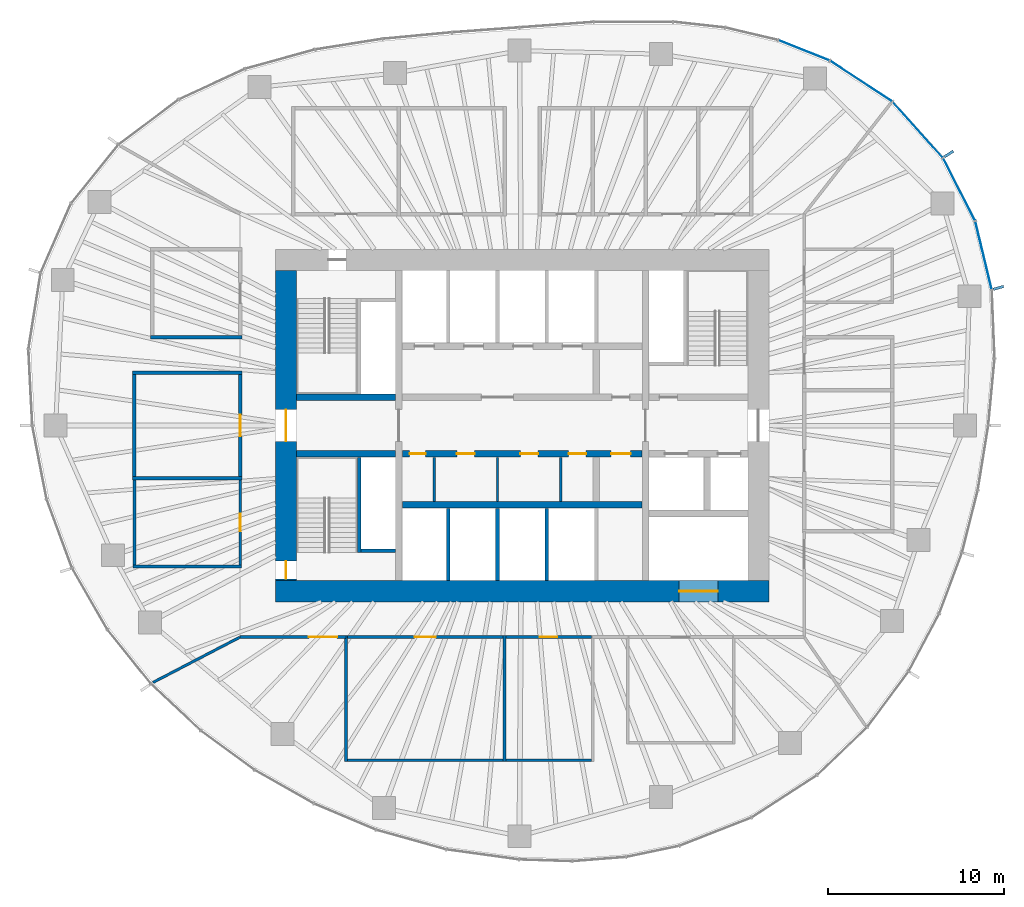
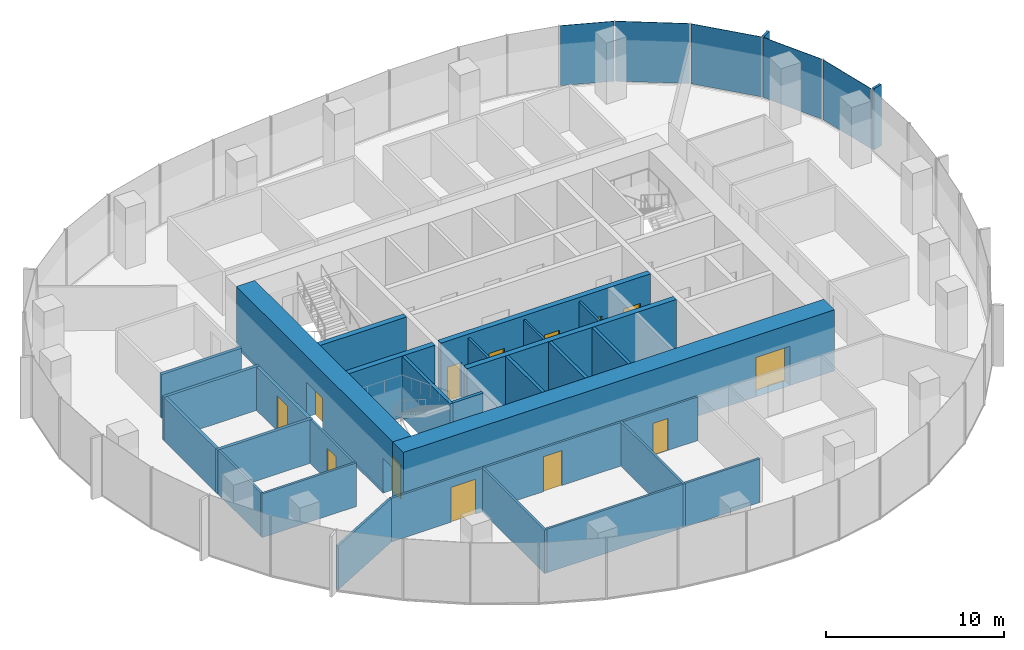
# One storey, part 8 of 11: 30 walls, 13 doors, 7 plates, 13 openings, 3 elements without a shape of their own.
"""IFC4 building model written with IfcOpenShell, lengths in metres."""

from ifc_helpers import new_model, si_unit, direction, frame, frame_2d, origin, origin_2d, place, context, subcontext, project, spatial, rectangle, extrude, material, layer, layer_set, type_object, element, fill, aggregate, save


model = new_model("IFC4")

# Units and contexts
model_context = context("Model", 3, precision=1e-05, world=origin(), true_north=direction((0.0, 1.0)))
body_context = subcontext(model_context, "Body", "Model", "MODEL_VIEW")
ifc_project = project(units=[si_unit("LENGTHUNIT", "METRE"), si_unit("AREAUNIT", "SQUARE_METRE"), si_unit("VOLUMEUNIT", "CUBIC_METRE"), si_unit("PLANEANGLEUNIT", "RADIAN"), si_unit("MASSUNIT", "GRAM", prefix="KILO")], contexts=[model_context])

# Site, building, storey
site_placement = place(None, origin())
site = spatial("IfcSite", under=ifc_project, at=site_placement, CompositionType="ELEMENT")
building_placement = place(site_placement, origin())
building = spatial("IfcBuilding", under=site, at=building_placement, Name="Ghaith Harvest Tower", CompositionType="ELEMENT")
storey_placement = place(building_placement, frame((0.0, 0.0, 215.800048828125)))
storey = spatial("IfcBuildingStorey", under=building, at=storey_placement, Name="L47", CompositionType="ELEMENT", Elevation=215.800048828125)

# Curtain wall, plates
ifc_material_1 = material(Name="Black anodised aluminium and fritted glass", Category="aluminium")
curtain_wall_type = type_object("IfcCurtainWallType", Name="CW-H CURTAIN WALL", PredefinedType="NOTDEFINED", material=ifc_material_1)
curtain_wall_1_placement = place(storey_placement, origin())
curtain_wall_1 = element("IfcCurtainWall", 1, at=curtain_wall_1_placement, inside=storey, type_object=curtain_wall_type, Name="Curtain wall CW-H bay 02 L47", PredefinedType="NOTDEFINED")
ifc_material_2 = material(Name="Glass, dark solar-control fritted double glazed unit", Category="glass")
ifc_layer_1 = layer(ifc_material_2, 0.030029296875)
ifc_layer_set_1 = layer_set([ifc_layer_1], Name="CW-H VISION PANEL")
plate_type_1 = type_object("IfcPlateType", Name="CW-H VISION PANEL", PredefinedType="CURTAIN_PANEL", material=ifc_layer_set_1)
plate_1_placement = place(storey_placement, frame((26.1767578125, 9.6533203125, 0.079833984375), z_axis=(0.0, 0.0, 1.0), x_axis=(-0.233894000303, 0.972262102842, 0.0)))
plate_1 = element("IfcPlate", 2, at=plate_1_placement, type_object=plate_type_1, Name="CW-H glass unit 1 bay 02 L47", PredefinedType="CURTAIN_PANEL", context=body_context, shape_type="SweptSolid", body=[
    extrude(rectangle(XDim=3.935546875, YDim=0.030029296875, at=origin_2d()), origin(), (0.0, 0.0, 1.0), 4.1201171875),
])
plate_2_placement = place(storey_placement, frame((24.790771484375, 13.399658203125, 0.079833984375), z_axis=(0.0, 0.0, 1.0), x_axis=(-0.454915320985, 0.890534699342, 0.0)))
plate_2 = element("IfcPlate", 3, at=plate_2_placement, type_object=plate_type_1, Name="CW-H glass unit 2 bay 02 L47", PredefinedType="CURTAIN_PANEL", context=body_context, shape_type="SweptSolid", body=[
    extrude(rectangle(XDim=3.949462890625, YDim=0.030029296875, at=origin_2d()), origin(), (0.0, 0.0, 1.0), 4.1201171875),
])
aggregate(curtain_wall_1, [plate_1, plate_2])

curtain_wall_2_placement = place(storey_placement, origin())
curtain_wall_2 = element("IfcCurtainWall", 4, at=curtain_wall_2_placement, inside=storey, type_object=curtain_wall_type, Name="Curtain wall CW-H bay 03 L47", PredefinedType="NOTDEFINED")
plate_3_placement = place(storey_placement, frame((22.44384765625, 16.783935546875, 0.079833984375), z_axis=(0.0, 0.0, 1.0), x_axis=(-0.668757736889, 0.743480389352, 0.0)))
plate_3 = element("IfcPlate", 5, at=plate_3_placement, type_object=plate_type_1, Name="CW-H glass unit 1 bay 03 L47", PredefinedType="CURTAIN_PANEL", context=body_context, shape_type="SweptSolid", body=[
    extrude(rectangle(XDim=4.19775390625, YDim=0.030029296875, at=origin_2d()), origin(), (0.0, 0.0, 1.0), 4.1201171875),
])
plate_4_placement = place(storey_placement, frame((19.236328125, 19.539306640625, 0.079833984375), z_axis=(0.0, 0.0, 1.0), x_axis=(-0.836276741583, 0.548307588392, 0.0)))
plate_4 = element("IfcPlate", 6, at=plate_4_placement, type_object=plate_type_1, Name="CW-H glass unit 2 bay 03 L47", PredefinedType="CURTAIN_PANEL", context=body_context, shape_type="SweptSolid", body=[
    extrude(rectangle(XDim=4.169677734375, YDim=0.030029296875, at=origin_2d()), origin(), (0.0, 0.0, 1.0), 4.1201171875),
])
aggregate(curtain_wall_2, [plate_3, plate_4])

# Curtain wall, plate
curtain_wall_3_placement = place(storey_placement, origin())
curtain_wall_3 = element("IfcCurtainWall", 7, at=curtain_wall_3_placement, inside=storey, type_object=curtain_wall_type, Name="Curtain wall CW-H bay 04 L47", PredefinedType="NOTDEFINED")
plate_5_placement = place(storey_placement, frame((15.993408203125, 21.287841796875, 0.079833984375), z_axis=(0.0, 0.0, 1.0), x_axis=(-0.929107322045, 0.369810200133, 0.0)))
plate_5 = element("IfcPlate", 8, at=plate_5_placement, type_object=plate_type_1, Name="CW-H glass unit 1 bay 04 L47", PredefinedType="CURTAIN_PANEL", context=body_context, shape_type="SweptSolid", body=[
    extrude(rectangle(XDim=3.075927734375, YDim=0.030029296875, at=origin_2d()), origin(), (0.0, 0.0, 1.0), 4.1201171875),
])
aggregate(curtain_wall_3, [plate_5])

# Plates
ifc_material_3 = material(Name="Glassfibre-reinforced concrete", Category="concrete")
ifc_layer_2 = layer(ifc_material_3, 0.14990234375)
ifc_layer_set_2 = layer_set([ifc_layer_2], Name="SUN-BREAKER FIN 600x150")
plate_type_2 = type_object("IfcPlateType", Name="SUN-BREAKER FIN 600x150", PredefinedType="USERDEFINED", material=ifc_layer_set_2)
for number, where, z_axis, x_axis, name in (
    (9, (27.03076171875, 7.8125, 0.0), (0.0, 0.0, 1.0), (0.960680349985, 0.277656739792, 0.0), "Sun-breaker fin CW-H 1 bay 02 L47"),
    (10, (24.211669921875, 15.408447265625, 0.0), (0.0, 0.0, 1.0), (0.843643971464, 0.536903016766, 0.0), "Sun-breaker fin CW-H 1 bay 03 L47"),
):
    element("IfcPlate", number, at=place(storey_placement, frame(where, z_axis=z_axis, x_axis=x_axis)), inside=storey, type_object=plate_type_2, Name=name, ObjectType="SUN-BREAKER FIN", PredefinedType="USERDEFINED", context=body_context, shape_type="SweptSolid", body=[
        extrude(rectangle(XDim=0.60009765625, YDim=0.14990234375, at=origin_2d()), origin(), (0.0, 0.0, 1.0), 4.199951171875),
    ])

# Walls
ifc_material_4 = material(Name="Twin-stud gypsum board, acoustic", Category="gypsum")
ifc_layer_3 = layer(ifc_material_4, 0.199951171875)
ifc_layer_set_3 = layer_set([ifc_layer_3], Name="ACOUSTIC PARTITION 200")
wall_type_1 = type_object("IfcWallType", Name="ACOUSTIC PARTITION 200", PredefinedType="PARTITIONING", material=ifc_layer_set_3)
for number, where, z_axis, x_axis, name in (
    (11, (-15.89990234375, -3.0, 0.0), (0.0, 0.0, 1.0), (-1.0, 0.0, 0.0), "Partition L47 row W6 cross wall 2"),
    (12, (-15.89990234375, 3.0, 0.0), (0.0, 0.0, 1.0), (-1.0, 0.0, 0.0), "Partition L47 row W6 cross wall 3"),
):
    element("IfcWall", number, at=place(storey_placement, frame(where, z_axis=z_axis, x_axis=x_axis)), inside=storey, type_object=wall_type_1, Name=name, PredefinedType="PARTITIONING", context=body_context, shape_type="SweptSolid", body=[
        extrude(rectangle(XDim=6.2001953125, YDim=0.199951171875, at=frame_2d((3.10009765625, 0.0))), origin(), (0.0, 0.0, 1.0), 3.0),
    ])

# Wall, opening, door
wall_1_placement = place(storey_placement, frame((-16.0, -2.89990234375, 0.0), z_axis=(0.0, 0.0, 1.0), x_axis=(0.0, 1.0, 0.0)))
wall_1 = element("IfcWall", 13, at=wall_1_placement, inside=storey, type_object=wall_type_1, Name="Partition L47-13", PredefinedType="PARTITIONING", context=body_context, shape_type="SweptSolid", body=[
    extrude(rectangle(XDim=5.7998046875, YDim=0.199951171875, at=frame_2d((2.89990234375, 0.0))), origin(), (0.0, 0.0, 1.0), 3.0),
])
opening_1_placement = place(wall_1_placement, frame((2.300048828125, 0.0, 0.0)))
opening_1 = element("IfcOpeningElement", 14, at=opening_1_placement, cuts=wall_1, Name="Opening 47-034", PredefinedType="OPENING", context=body_context, shape_type="SweptSolid", body=[
    extrude(rectangle(XDim=1.199951171875, YDim=2.39990234375, at=frame_2d((0.60009765625, 1.199951171875))), frame((0.0, 0.10986328125, 0.0), z_axis=(0.0, -1.0, 0.0), x_axis=(1.0, 0.0, 0.0)), (0.0, 0.0, 1.0), 0.219970703125),
])
ifc_material_5 = material(Name="Timber door", Category="wood")
door_type_1 = type_object("IfcDoorType", Name="D11 GLAZED 1200x2400", OperationType="SINGLE_SWING_LEFT", PredefinedType="DOOR", material=ifc_material_5)
door_1_placement = place(opening_1_placement, origin())
door_1 = element("IfcDoor", 15, at=door_1_placement, inside=storey, type_object=door_type_1, Name="Meeting room door", OperationType="SINGLE_SWING_LEFT", OverallHeight=2.39990234375, OverallWidth=1.199951171875, PredefinedType="DOOR", context=body_context, shape_type="SweptSolid", body=[
    extrude(rectangle(XDim=1.199951171875, YDim=2.39990234375, at=frame_2d((0.60009765625, 1.199951171875))), frame((0.0, 0.02490234375, 0.0), z_axis=(0.0, -1.0, 0.0), x_axis=(1.0, 0.0, 0.0)), (0.0, 0.0, 1.0), 0.050048828125),
])
fill(opening_1, door_1)

# Walls
wall_2_placement = place(storey_placement, frame((-22.0, -2.89990234375, 0.0), z_axis=(0.0, 0.0, 1.0), x_axis=(0.0, 1.0, 0.0)))
element("IfcWall", 16, at=wall_2_placement, inside=storey, type_object=wall_type_1, Name="Partition L47-13", PredefinedType="PARTITIONING", context=body_context, shape_type="SweptSolid", body=[
    extrude(rectangle(XDim=5.7998046875, YDim=0.199951171875, at=frame_2d((2.89990234375, 0.0))), origin(), (0.0, 0.0, 1.0), 3.0),
])
wall_3_placement = place(storey_placement, frame((-15.89990234375, 5.0, 0.0), z_axis=(0.0, 0.0, 1.0), x_axis=(-1.0, 0.0, 0.0)))
element("IfcWall", 17, at=wall_3_placement, inside=storey, type_object=wall_type_1, Name="Partition L47 row W8 cross wall 1", PredefinedType="PARTITIONING", context=body_context, shape_type="SweptSolid", body=[
    extrude(rectangle(XDim=5.2001953125, YDim=0.199951171875, at=frame_2d((2.60009765625, 0.0))), origin(), (0.0, 0.0, 1.0), 3.0),
])
ifc_material_6 = material(Name="Concrete blockwork, fair-faced", Category="masonry")
ifc_layer_4 = layer(ifc_material_6, 0.139892578125)
ifc_layer_set_4 = layer_set([ifc_layer_4], Name="CORE PARTITION 140")
wall_type_2 = type_object("IfcWallType", Name="CORE PARTITION 140", PredefinedType="PARTITIONING", material=ifc_layer_set_4)
for number, where, z_axis, x_axis, name in (
    (18, (-5.0, -1.800048828125, 0.0), (0.0, 0.0, 1.0), (0.0, -1.0, 0.0), "Core partition L47"),
    (19, (-1.39990234375, -1.800048828125, 0.0), (0.0, 0.0, 1.0), (0.0, -1.0, 0.0), "Core partition L47"),
    (20, (2.199951171875, -1.800048828125, 0.0), (0.0, 0.0, 1.0), (0.0, -1.0, 0.0), "Core partition L47"),
):
    element("IfcWall", number, at=place(storey_placement, frame(where, z_axis=z_axis, x_axis=x_axis)), inside=storey, type_object=wall_type_2, Name=name, PredefinedType="PARTITIONING", context=body_context, shape_type="SweptSolid", body=[
        extrude(rectangle(XDim=2.5, YDim=0.139892578125, at=frame_2d((1.25, 0.0))), origin(), (0.0, 0.0, 1.0), 3.949951171875),
    ])

# Wall, opening, door
ifc_material_7 = material(Name="Concrete C60/75", Category="concrete")
ifc_layer_5 = layer(ifc_material_7, 1.199951171875)
ifc_layer_set_5 = layer_set([ifc_layer_5], Name="CORE WALL CW1200 C60")
wall_type_3 = type_object("IfcWallType", Name="CORE WALL CW1200 C60", PredefinedType="SHEAR", material=ifc_layer_set_5)
wall_4_placement = place(storey_placement, frame((-14.0, -9.39990234375, 0.0), z_axis=(0.0, 0.0, 1.0), x_axis=(1.0, 0.0, 0.0)))
wall_4 = element("IfcWall", 21, at=wall_4_placement, inside=storey, type_object=wall_type_3, Name="Core wall S L47", PredefinedType="SHEAR", context=body_context, shape_type="SweptSolid", body=[
    extrude(rectangle(XDim=28.0, YDim=1.199951171875, at=frame_2d((14.0, 0.0))), origin(), (0.0, 0.0, 1.0), 4.199951171875),
])
opening_2_placement = place(wall_4_placement, frame((22.89990234375, 0.0, 0.0)))
opening_2 = element("IfcOpeningElement", 22, at=opening_2_placement, cuts=wall_4, Name="Opening 47-021", PredefinedType="OPENING", context=body_context, shape_type="SweptSolid", body=[
    extrude(rectangle(XDim=2.199951171875, YDim=2.699951171875, at=frame_2d((1.10009765625, 1.35009765625))), frame((0.0, 0.60986328125, 0.0), z_axis=(0.0, -1.0, 0.0), x_axis=(1.0, 0.0, 0.0)), (0.0, 0.0, 1.0), 1.219970703125),
])
ifc_material_8 = material(Name="Steel fire door", Category="steel")
door_type_2 = type_object("IfcDoorType", Name="LD3 LANDING 2200x2700", OperationType="DOUBLE_DOOR_SLIDING", PredefinedType="DOOR", material=ifc_material_8)
door_2_placement = place(opening_2_placement, origin())
door_2 = element("IfcDoor", 23, at=door_2_placement, inside=storey, type_object=door_type_2, Name="Landing door, goods lift GL1", OperationType="DOUBLE_DOOR_SLIDING", OverallHeight=2.699951171875, OverallWidth=2.199951171875, PredefinedType="DOOR", context=body_context, shape_type="SweptSolid", body=[
    extrude(rectangle(XDim=2.199951171875, YDim=2.699951171875, at=frame_2d((1.10009765625, 1.35009765625))), frame((0.0, 0.02490234375, 0.0), z_axis=(0.0, -1.0, 0.0), x_axis=(1.0, 0.0, 0.0)), (0.0, 0.0, 1.0), 0.050048828125),
])
fill(opening_2, door_2)

# Wall, openings, doors
wall_5_placement = place(storey_placement, frame((-13.39990234375, 8.800048828125, 0.0), z_axis=(0.0, 0.0, 1.0), x_axis=(0.0, -1.0, 0.0)))
wall_5 = element("IfcWall", 24, at=wall_5_placement, inside=storey, type_object=wall_type_3, Name="Core wall W L47", PredefinedType="SHEAR", context=body_context, shape_type="SweptSolid", body=[
    extrude(rectangle(XDim=17.60009765625, YDim=1.199951171875, at=frame_2d((8.800048828125, 0.0))), origin(), (0.0, 0.0, 1.0), 4.199951171875),
])
opening_3_placement = place(wall_5_placement, frame((7.89990234375, 0.0, 0.0)))
opening_3 = element("IfcOpeningElement", 25, at=opening_3_placement, cuts=wall_5, Name="Opening 47-001", PredefinedType="OPENING", context=body_context, shape_type="SweptSolid", body=[
    extrude(rectangle(XDim=1.800048828125, YDim=2.39990234375, at=frame_2d((0.89990234375, 1.199951171875))), frame((0.0, 0.60986328125, 0.0), z_axis=(0.0, -1.0, 0.0), x_axis=(1.0, 0.0, 0.0)), (0.0, 0.0, 1.0), 1.219970703125),
])
opening_4_placement = place(wall_5_placement, frame((16.5, 0.0, 0.0)))
opening_4 = element("IfcOpeningElement", 26, at=opening_4_placement, cuts=wall_5, Name="Opening 47-006", PredefinedType="OPENING", context=body_context, shape_type="SweptSolid", body=[
    extrude(rectangle(XDim=1.0, YDim=2.39990234375, at=frame_2d((0.5, 1.199951171875))), frame((0.0, 0.60986328125, 0.0), z_axis=(0.0, -1.0, 0.0), x_axis=(1.0, 0.0, 0.0)), (0.0, 0.0, 1.0), 1.219970703125),
])
ifc_material_9 = material(Name="Steel fire door", Category="steel")
door_type_3 = type_object("IfcDoorType", Name="D3 FD90 1000x2400", OperationType="SINGLE_SWING_LEFT", PredefinedType="DOOR", material=ifc_material_9)
door_3_placement = place(opening_4_placement, origin())
door_3 = element("IfcDoor", 27, at=door_3_placement, inside=storey, type_object=door_type_3, Name="Stair ST3 door", OperationType="SINGLE_SWING_RIGHT", OverallHeight=2.39990234375, OverallWidth=1.0, PredefinedType="DOOR", context=body_context, shape_type="SweptSolid", body=[
    extrude(rectangle(XDim=1.0, YDim=2.39990234375, at=frame_2d((0.5, 1.199951171875))), frame((0.0, 0.02490234375, 0.0), z_axis=(0.0, -1.0, 0.0), x_axis=(1.0, 0.0, 0.0)), (0.0, 0.0, 1.0), 0.050048828125),
])
fill(opening_4, door_3)
ifc_material_10 = material(Name="Steel fire door", Category="steel")
door_type_4 = type_object("IfcDoorType", Name="D4 FD90 PAIR 1800x2400", OperationType="DOUBLE_DOOR_SINGLE_SWING", PredefinedType="DOOR", material=ifc_material_10)
door_4_placement = place(opening_3_placement, origin())
door_4 = element("IfcDoor", 28, at=door_4_placement, inside=storey, type_object=door_type_4, Name="West lobby doors", OperationType="DOUBLE_DOOR_SINGLE_SWING", OverallHeight=2.39990234375, OverallWidth=1.800048828125, PredefinedType="DOOR", context=body_context, shape_type="SweptSolid", body=[
    extrude(rectangle(XDim=1.800048828125, YDim=2.39990234375, at=frame_2d((0.89990234375, 1.199951171875))), frame((0.0, 0.02490234375, 0.0), z_axis=(0.0, -1.0, 0.0), x_axis=(1.0, 0.0, 0.0)), (0.0, 0.0, 1.0), 0.050048828125),
])
fill(opening_3, door_4)

# Walls
ifc_material_11 = material(Name="Concrete blockwork, 2-hour", Category="masonry")
ifc_layer_6 = layer(ifc_material_11, 0.199951171875)
ifc_layer_set_6 = layer_set([ifc_layer_6], Name="LIFT SHAFT WALL 200")
wall_type_4 = type_object("IfcWallType", Name="LIFT SHAFT WALL 200", PredefinedType="PARTITIONING", material=ifc_layer_set_6)
for number, where, z_axis, x_axis, name in (
    (29, (-4.199951171875, -4.699951171875, 0.0), (0.0, 0.0, 1.0), (0.0, -1.0, 0.0), "Lift shaft wall L47"),
    (30, (-1.39990234375, -4.699951171875, 0.0), (0.0, 0.0, 1.0), (0.0, -1.0, 0.0), "Lift shaft wall L47"),
    (31, (1.39990234375, -4.699951171875, 0.0), (0.0, 0.0, 1.0), (0.0, -1.0, 0.0), "Lift shaft wall L47"),
):
    element("IfcWall", number, at=place(storey_placement, frame(where, z_axis=z_axis, x_axis=x_axis)), inside=storey, type_object=wall_type_4, Name=name, PredefinedType="PARTITIONING", context=body_context, shape_type="SweptSolid", body=[
        extrude(rectangle(XDim=4.10009765625, YDim=0.199951171875, at=frame_2d((2.050048828125, 0.0))), origin(), (0.0, 0.0, 1.0), 4.199951171875),
    ])
ifc_material_12 = material(Name="Gypsum board on steel studs", Category="steel")
ifc_layer_7 = layer(ifc_material_12, 0.14990234375)
ifc_layer_set_7 = layer_set([ifc_layer_7], Name="PARTITION 150")
wall_type_5 = type_object("IfcWallType", Name="PARTITION 150", PredefinedType="PARTITIONING", material=ifc_layer_set_7)
for number, where, z_axis, x_axis, name in (
    (32, (-10.0, -11.925048828125, 0.0), (0.0, 0.0, 1.0), (0.0, -1.0, 0.0), "Partition L47 row S3 cross wall 1"),
    (33, (-1.0, -11.925048828125, 0.0), (0.0, 0.0, 1.0), (0.0, -1.0, 0.0), "Partition L47 row S3 cross wall 2"),
):
    element("IfcWall", number, at=place(storey_placement, frame(where, z_axis=z_axis, x_axis=x_axis)), inside=storey, type_object=wall_type_5, Name=name, PredefinedType="PARTITIONING", context=body_context, shape_type="SweptSolid", body=[
        extrude(rectangle(XDim=7.14990234375, YDim=0.14990234375, at=frame_2d((3.574951171875, 0.0))), origin(), (0.0, 0.0, 1.0), 3.0),
    ])

# Wall, opening, door
wall_6_placement = place(storey_placement, frame((-9.925048828125, -12.0, 0.0), z_axis=(0.0, 0.0, 1.0), x_axis=(1.0, 0.0, 0.0)))
wall_6 = element("IfcWall", 34, at=wall_6_placement, inside=storey, type_object=wall_type_5, Name="Partition L47-07", PredefinedType="PARTITIONING", context=body_context, shape_type="SweptSolid", body=[
    extrude(rectangle(XDim=8.85009765625, YDim=0.14990234375, at=frame_2d((4.425048828125, 0.0))), origin(), (0.0, 0.0, 1.0), 3.0),
])
opening_5_placement = place(wall_6_placement, frame((3.824951171875, 0.0, 0.0)))
opening_5 = element("IfcOpeningElement", 35, at=opening_5_placement, cuts=wall_6, Name="Opening 47-028", PredefinedType="OPENING", context=body_context, shape_type="SweptSolid", body=[
    extrude(rectangle(XDim=1.199951171875, YDim=2.39990234375, at=frame_2d((0.60009765625, 1.199951171875))), frame((0.0, 0.0849609375, 0.0), z_axis=(0.0, -1.0, 0.0), x_axis=(1.0, 0.0, 0.0)), (0.0, 0.0, 1.0), 0.169921875),
])
door_5_placement = place(opening_5_placement, origin())
door_5 = element("IfcDoor", 36, at=door_5_placement, inside=storey, type_object=door_type_1, Name="Model studio door", OperationType="SINGLE_SWING_LEFT", OverallHeight=2.39990234375, OverallWidth=1.199951171875, PredefinedType="DOOR", context=body_context, shape_type="SweptSolid", body=[
    extrude(rectangle(XDim=1.199951171875, YDim=2.39990234375, at=frame_2d((0.60009765625, 1.199951171875))), frame((0.0, 0.02490234375, 0.0), z_axis=(0.0, -1.0, 0.0), x_axis=(1.0, 0.0, 0.0)), (0.0, 0.0, 1.0), 0.050048828125),
])
fill(opening_5, door_5)

# Wall
wall_7_placement = place(storey_placement, frame((-9.925048828125, -19.0, 0.0), z_axis=(0.0, 0.0, 1.0), x_axis=(1.0, 0.0, 0.0)))
element("IfcWall", 37, at=wall_7_placement, inside=storey, type_object=wall_type_5, Name="Partition L47-07", PredefinedType="PARTITIONING", context=body_context, shape_type="SweptSolid", body=[
    extrude(rectangle(XDim=8.85009765625, YDim=0.14990234375, at=frame_2d((4.425048828125, 0.0))), origin(), (0.0, 0.0, 1.0), 3.0),
])

# Wall, opening, door
wall_8_placement = place(storey_placement, frame((-0.925048828125, -12.0, 0.0), z_axis=(0.0, 0.0, 1.0), x_axis=(1.0, 0.0, 0.0)))
wall_8 = element("IfcWall", 38, at=wall_8_placement, inside=storey, type_object=wall_type_5, Name="Partition L47-08", PredefinedType="PARTITIONING", context=body_context, shape_type="SweptSolid", body=[
    extrude(rectangle(XDim=4.85009765625, YDim=0.14990234375, at=frame_2d((2.425048828125, 0.0))), origin(), (0.0, 0.0, 1.0), 3.0),
])
opening_6_placement = place(wall_8_placement, frame((1.925048828125, 0.0, 0.0)))
opening_6 = element("IfcOpeningElement", 39, at=opening_6_placement, cuts=wall_8, Name="Opening 47-029", PredefinedType="OPENING", context=body_context, shape_type="SweptSolid", body=[
    extrude(rectangle(XDim=1.0, YDim=2.199951171875, at=frame_2d((0.5, 1.10009765625))), frame((0.0, 0.0849609375, 0.0), z_axis=(0.0, -1.0, 0.0), x_axis=(1.0, 0.0, 0.0)), (0.0, 0.0, 1.0), 0.169921875),
])
ifc_material_13 = material(Name="Timber door", Category="wood")
door_type_5 = type_object("IfcDoorType", Name="D1 SINGLE 1000x2200", OperationType="SINGLE_SWING_LEFT", PredefinedType="DOOR", material=ifc_material_13)
door_6_placement = place(opening_6_placement, origin())
door_6 = element("IfcDoor", 40, at=door_6_placement, inside=storey, type_object=door_type_5, Name="Store door", OperationType="SINGLE_SWING_LEFT", OverallHeight=2.199951171875, OverallWidth=1.0, PredefinedType="DOOR", context=body_context, shape_type="SweptSolid", body=[
    extrude(rectangle(XDim=1.0, YDim=2.199951171875, at=frame_2d((0.5, 1.10009765625))), frame((0.0, 0.02490234375, 0.0), z_axis=(0.0, -1.0, 0.0), x_axis=(1.0, 0.0, 0.0)), (0.0, 0.0, 1.0), 0.050048828125),
])
fill(opening_6, door_6)

# Walls
wall_9_placement = place(storey_placement, frame((-0.925048828125, -19.0, 0.0), z_axis=(0.0, 0.0, 1.0), x_axis=(1.0, 0.0, 0.0)))
element("IfcWall", 41, at=wall_9_placement, inside=storey, type_object=wall_type_5, Name="Partition L47-08", PredefinedType="PARTITIONING", context=body_context, shape_type="SweptSolid", body=[
    extrude(rectangle(XDim=4.85009765625, YDim=0.14990234375, at=frame_2d((2.425048828125, 0.0))), origin(), (0.0, 0.0, 1.0), 3.0),
])
wall_10_placement = place(storey_placement, frame((-15.925048828125, -8.0, 0.0), z_axis=(0.0, 0.0, 1.0), x_axis=(-1.0, 0.0, 0.0)))
element("IfcWall", 42, at=wall_10_placement, inside=storey, type_object=wall_type_5, Name="Partition L47 row W6 cross wall 1", PredefinedType="PARTITIONING", context=body_context, shape_type="SweptSolid", body=[
    extrude(rectangle(XDim=6.14990234375, YDim=0.14990234375, at=frame_2d((3.074951171875, 0.0))), origin(), (0.0, 0.0, 1.0), 3.0),
])

# Wall, opening, door
wall_11_placement = place(storey_placement, frame((-16.0, -7.925048828125, 0.0), z_axis=(0.0, 0.0, 1.0), x_axis=(0.0, 1.0, 0.0)))
wall_11 = element("IfcWall", 43, at=wall_11_placement, inside=storey, type_object=wall_type_5, Name="Partition L47-12", PredefinedType="PARTITIONING", context=body_context, shape_type="SweptSolid", body=[
    extrude(rectangle(XDim=4.824951171875, YDim=0.14990234375, at=frame_2d((2.41259765625, 0.0))), origin(), (0.0, 0.0, 1.0), 3.0),
])
opening_7_placement = place(wall_11_placement, frame((1.91259765625, 0.0, 0.0)))
opening_7 = element("IfcOpeningElement", 44, at=opening_7_placement, cuts=wall_11, Name="Opening 47-033", PredefinedType="OPENING", context=body_context, shape_type="SweptSolid", body=[
    extrude(rectangle(XDim=1.0, YDim=2.199951171875, at=frame_2d((0.5, 1.10009765625))), frame((0.0, 0.0849609375, 0.0), z_axis=(0.0, -1.0, 0.0), x_axis=(1.0, 0.0, 0.0)), (0.0, 0.0, 1.0), 0.169921875),
])
door_7_placement = place(opening_7_placement, origin())
door_7 = element("IfcDoor", 45, at=door_7_placement, inside=storey, type_object=door_type_5, Name="Print room door", OperationType="SINGLE_SWING_LEFT", OverallHeight=2.199951171875, OverallWidth=1.0, PredefinedType="DOOR", context=body_context, shape_type="SweptSolid", body=[
    extrude(rectangle(XDim=1.0, YDim=2.199951171875, at=frame_2d((0.5, 1.10009765625))), frame((0.0, 0.02490234375, 0.0), z_axis=(0.0, -1.0, 0.0), x_axis=(1.0, 0.0, 0.0)), (0.0, 0.0, 1.0), 0.050048828125),
])
fill(opening_7, door_7)

# Walls
wall_12_placement = place(storey_placement, frame((-22.0, -7.925048828125, 0.0), z_axis=(0.0, 0.0, 1.0), x_axis=(0.0, 1.0, 0.0)))
element("IfcWall", 46, at=wall_12_placement, inside=storey, type_object=wall_type_5, Name="Partition L47-12", PredefinedType="PARTITIONING", context=body_context, shape_type="SweptSolid", body=[
    extrude(rectangle(XDim=4.824951171875, YDim=0.14990234375, at=frame_2d((2.41259765625, 0.0))), origin(), (0.0, 0.0, 1.0), 3.0),
])
wall_13_placement = place(storey_placement, frame((-16.017578125, -12.00927734375, 0.0), z_axis=(0.0, 0.0, 1.0), x_axis=(-0.886831549241, -0.462092851351, 0.0)))
element("IfcWall", 47, at=wall_13_placement, inside=storey, type_object=wall_type_5, Name="Partition L47 zone division", PredefinedType="PARTITIONING", context=body_context, shape_type="SweptSolid", body=[
    extrude(rectangle(XDim=5.555419921875, YDim=0.14990234375, at=frame_2d((2.77783203125, 0.0))), origin(), (0.0, 0.0, 1.0), 3.0),
])

# Wall, opening, door
wall_14_placement = place(storey_placement, frame((-16.0, -12.0, 0.0), z_axis=(0.0, 0.0, 1.0), x_axis=(1.0, 0.0, 0.0)))
wall_14 = element("IfcWall", 48, at=wall_14_placement, inside=storey, type_object=wall_type_5, Name="Partition L47 zone enclosure", PredefinedType="PARTITIONING", context=body_context, shape_type="SweptSolid", body=[
    extrude(rectangle(XDim=6.0, YDim=0.14990234375, at=frame_2d((3.0, 0.0))), origin(), (0.0, 0.0, 1.0), 3.0),
])
opening_8_placement = place(wall_14_placement, frame((3.89990234375, 0.0, 0.0)))
opening_8 = element("IfcOpeningElement", 49, at=opening_8_placement, cuts=wall_14, Name="Opening 47-038", PredefinedType="OPENING", context=body_context, shape_type="SweptSolid", body=[
    extrude(rectangle(XDim=1.60009765625, YDim=2.39990234375, at=frame_2d((0.800048828125, 1.199951171875))), frame((0.0, 0.0849609375, 0.0), z_axis=(0.0, -1.0, 0.0), x_axis=(1.0, 0.0, 0.0)), (0.0, 0.0, 1.0), 0.169921875),
])
ifc_material_14 = material(Name="Timber door", Category="wood")
door_type_6 = type_object("IfcDoorType", Name="D2 PAIR 1600x2400", OperationType="DOUBLE_DOOR_SINGLE_SWING", PredefinedType="DOOR", material=ifc_material_14)
door_8_placement = place(opening_8_placement, origin())
door_8 = element("IfcDoor", 50, at=door_8_placement, inside=storey, type_object=door_type_6, Name="Engineering studio south door", OperationType="DOUBLE_DOOR_SINGLE_SWING", OverallHeight=2.39990234375, OverallWidth=1.60009765625, PredefinedType="DOOR", context=body_context, shape_type="SweptSolid", body=[
    extrude(rectangle(XDim=1.60009765625, YDim=2.39990234375, at=frame_2d((0.800048828125, 1.199951171875))), frame((0.0, 0.02490234375, 0.0), z_axis=(0.0, -1.0, 0.0), x_axis=(1.0, 0.0, 0.0)), (0.0, 0.0, 1.0), 0.050048828125),
])
fill(opening_8, door_8)

# Wall, openings, doors
ifc_material_15 = material(Name="Concrete C60/75", Category="concrete")
ifc_layer_8 = layer(ifc_material_15, 0.35009765625)
ifc_layer_set_8 = layer_set([ifc_layer_8], Name="SHAFT WALL 350")
wall_type_6 = type_object("IfcWallType", Name="SHAFT WALL 350", PredefinedType="SHEAR", material=ifc_layer_set_8)
wall_15_placement = place(storey_placement, frame((-6.800048828125, -1.60009765625, 0.0), z_axis=(0.0, 0.0, 1.0), x_axis=(1.0, 0.0, 0.0)))
wall_15 = element("IfcWall", 51, at=wall_15_placement, inside=storey, type_object=wall_type_6, Name="Shaft wall LS L47", PredefinedType="SHEAR", context=body_context, shape_type="SweptSolid", body=[
    extrude(rectangle(XDim=13.60009765625, YDim=0.35009765625, at=frame_2d((6.800048828125, 0.0))), origin(), (0.0, 0.0, 1.0), 4.199951171875),
])
opening_9_placement = place(wall_15_placement, frame((0.4150390625, 0.0, 0.0)))
opening_9 = element("IfcOpeningElement", 52, at=opening_9_placement, cuts=wall_15, Name="Opening 47-008", PredefinedType="OPENING", context=body_context, shape_type="SweptSolid", body=[
    extrude(rectangle(XDim=0.89990234375, YDim=2.39990234375, at=frame_2d((0.449951171875, 1.199951171875))), frame((0.0, 0.18505859375, 0.0), z_axis=(0.0, -1.0, 0.0), x_axis=(1.0, 0.0, 0.0)), (0.0, 0.0, 1.0), 0.3701171875),
])
opening_10_placement = place(wall_15_placement, frame((3.10009765625, 0.0, 0.0)))
opening_10 = element("IfcOpeningElement", 53, at=opening_10_placement, cuts=wall_15, Name="Opening 47-009", PredefinedType="OPENING", context=body_context, shape_type="SweptSolid", body=[
    extrude(rectangle(XDim=1.0, YDim=2.39990234375, at=frame_2d((0.5, 1.199951171875))), frame((0.0, 0.18505859375, 0.0), z_axis=(0.0, -1.0, 0.0), x_axis=(1.0, 0.0, 0.0)), (0.0, 0.0, 1.0), 0.3701171875),
])
opening_11_placement = place(wall_15_placement, frame((6.699951171875, 0.0, 0.0)))
opening_11 = element("IfcOpeningElement", 54, at=opening_11_placement, cuts=wall_15, Name="Opening 47-010", PredefinedType="OPENING", context=body_context, shape_type="SweptSolid", body=[
    extrude(rectangle(XDim=1.0, YDim=2.39990234375, at=frame_2d((0.5, 1.199951171875))), frame((0.0, 0.18505859375, 0.0), z_axis=(0.0, -1.0, 0.0), x_axis=(1.0, 0.0, 0.0)), (0.0, 0.0, 1.0), 0.3701171875),
])
opening_12_placement = place(wall_15_placement, frame((9.43505859375, 0.0, 0.0)))
opening_12 = element("IfcOpeningElement", 55, at=opening_12_placement, cuts=wall_15, Name="Opening 47-011", PredefinedType="OPENING", context=body_context, shape_type="SweptSolid", body=[
    extrude(rectangle(XDim=1.0, YDim=2.39990234375, at=frame_2d((0.5, 1.199951171875))), frame((0.0, 0.18505859375, 0.0), z_axis=(0.0, -1.0, 0.0), x_axis=(1.0, 0.0, 0.0)), (0.0, 0.0, 1.0), 0.3701171875),
])
opening_13_placement = place(wall_15_placement, frame((11.85009765625, 0.0, 0.0)))
opening_13 = element("IfcOpeningElement", 56, at=opening_13_placement, cuts=wall_15, Name="Opening 47-013", PredefinedType="OPENING", context=body_context, shape_type="SweptSolid", body=[
    extrude(rectangle(XDim=1.10009765625, YDim=2.39990234375, at=frame_2d((0.550048828125, 1.199951171875))), frame((0.0, 0.18505859375, 0.0), z_axis=(0.0, -1.0, 0.0), x_axis=(1.0, 0.0, 0.0)), (0.0, 0.0, 1.0), 0.3701171875),
])
door_9_placement = place(opening_10_placement, origin())
door_9 = element("IfcDoor", 57, at=door_9_placement, inside=storey, type_object=door_type_3, Name="Male WC door", OperationType="SINGLE_SWING_LEFT", OverallHeight=2.39990234375, OverallWidth=1.0, PredefinedType="DOOR", context=body_context, shape_type="SweptSolid", body=[
    extrude(rectangle(XDim=1.0, YDim=2.39990234375, at=frame_2d((0.5, 1.199951171875))), frame((0.0, 0.02490234375, 0.0), z_axis=(0.0, -1.0, 0.0), x_axis=(1.0, 0.0, 0.0)), (0.0, 0.0, 1.0), 0.050048828125),
])
fill(opening_10, door_9)
door_10_placement = place(opening_11_placement, origin())
door_10 = element("IfcDoor", 58, at=door_10_placement, inside=storey, type_object=door_type_3, Name="Female WC door", OperationType="SINGLE_SWING_RIGHT", OverallHeight=2.39990234375, OverallWidth=1.0, PredefinedType="DOOR", context=body_context, shape_type="SweptSolid", body=[
    extrude(rectangle(XDim=1.0, YDim=2.39990234375, at=frame_2d((0.5, 1.199951171875))), frame((0.0, 0.02490234375, 0.0), z_axis=(0.0, -1.0, 0.0), x_axis=(1.0, 0.0, 0.0)), (0.0, 0.0, 1.0), 0.050048828125),
])
fill(opening_11, door_10)
door_11_placement = place(opening_12_placement, origin())
door_11 = element("IfcDoor", 59, at=door_11_placement, inside=storey, type_object=door_type_3, Name="Tea point door", OperationType="SINGLE_SWING_RIGHT", OverallHeight=2.39990234375, OverallWidth=1.0, PredefinedType="DOOR", context=body_context, shape_type="SweptSolid", body=[
    extrude(rectangle(XDim=1.0, YDim=2.39990234375, at=frame_2d((0.5, 1.199951171875))), frame((0.0, 0.02490234375, 0.0), z_axis=(0.0, -1.0, 0.0), x_axis=(1.0, 0.0, 0.0)), (0.0, 0.0, 1.0), 0.050048828125),
])
fill(opening_12, door_11)
ifc_material_16 = material(Name="Steel fire door", Category="steel")
door_type_7 = type_object("IfcDoorType", Name="D5 FD90 900x2400", OperationType="SINGLE_SWING_LEFT", PredefinedType="DOOR", material=ifc_material_16)
door_12_placement = place(opening_9_placement, origin())
door_12 = element("IfcDoor", 60, at=door_12_placement, inside=storey, type_object=door_type_7, Name="Cleaner's store door", OperationType="SINGLE_SWING_LEFT", OverallHeight=2.39990234375, OverallWidth=0.89990234375, PredefinedType="DOOR", context=body_context, shape_type="SweptSolid", body=[
    extrude(rectangle(XDim=0.89990234375, YDim=2.39990234375, at=frame_2d((0.449951171875, 1.199951171875))), frame((0.0, 0.02490234375, 0.0), z_axis=(0.0, -1.0, 0.0), x_axis=(1.0, 0.0, 0.0)), (0.0, 0.0, 1.0), 0.050048828125),
])
fill(opening_9, door_12)
ifc_material_17 = material(Name="Steel fire door", Category="steel")
door_type_8 = type_object("IfcDoorType", Name="D9 FD90 1100x2400", OperationType="SINGLE_SWING_LEFT", PredefinedType="DOOR", material=ifc_material_17)
door_13_placement = place(opening_13_placement, origin())
door_13 = element("IfcDoor", 61, at=door_13_placement, inside=storey, type_object=door_type_8, Name="Accessible WC door", OperationType="SINGLE_SWING_RIGHT", OverallHeight=2.39990234375, OverallWidth=1.10009765625, PredefinedType="DOOR", context=body_context, shape_type="SweptSolid", body=[
    extrude(rectangle(XDim=1.10009765625, YDim=2.39990234375, at=frame_2d((0.550048828125, 1.199951171875))), frame((0.0, 0.02490234375, 0.0), z_axis=(0.0, -1.0, 0.0), x_axis=(1.0, 0.0, 0.0)), (0.0, 0.0, 1.0), 0.050048828125),
])
fill(opening_13, door_13)

# Walls
wall_16_placement = place(storey_placement, frame((-6.800048828125, -4.5, 0.0), z_axis=(0.0, 0.0, 1.0), x_axis=(1.0, 0.0, 0.0)))
element("IfcWall", 62, at=wall_16_placement, inside=storey, type_object=wall_type_6, Name="Shaft wall BS L47", PredefinedType="SHEAR", context=body_context, shape_type="SweptSolid", body=[
    extrude(rectangle(XDim=13.60009765625, YDim=0.35009765625, at=frame_2d((6.800048828125, 0.0))), origin(), (0.0, 0.0, 1.0), 4.199951171875),
])
for number, where, z_axis, x_axis, name in (
    (63, (-12.800048828125, 1.60009765625, 0.0), (0.0, 0.0, 1.0), (1.0, 0.0, 0.0), "Shaft wall WN L47"),
    (64, (-12.800048828125, -1.60009765625, 0.0), (0.0, 0.0, 1.0), (1.0, 0.0, 0.0), "Shaft wall WS L47"),
):
    element("IfcWall", number, at=place(storey_placement, frame(where, z_axis=z_axis, x_axis=x_axis)), inside=storey, type_object=wall_type_6, Name=name, PredefinedType="SHEAR", context=body_context, shape_type="SweptSolid", body=[
        extrude(rectangle(XDim=5.60009765625, YDim=0.35009765625, at=frame_2d((2.800048828125, 0.0))), origin(), (0.0, 0.0, 1.0), 4.199951171875),
    ])
ifc_material_18 = material(Name="Concrete C40/50", Category="concrete")
ifc_layer_9 = layer(ifc_material_18, 0.199951171875)
ifc_layer_set_9 = layer_set([ifc_layer_9], Name="STAIR SPINE WALL RC200")
wall_type_7 = type_object("IfcWallType", Name="STAIR SPINE WALL RC200", PredefinedType="SOLIDWALL", material=ifc_layer_set_9)
wall_17_placement = place(storey_placement, frame((-9.25, -7.199951171875, 0.0), z_axis=(0.0, 0.0, 1.0), x_axis=(0.0, 1.0, 0.0)))
element("IfcWall", 65, at=wall_17_placement, inside=storey, type_object=wall_type_7, Name="Stair ST3 spine wall L47", PredefinedType="SOLIDWALL", context=body_context, shape_type="SweptSolid", body=[
    extrude(rectangle(XDim=5.39990234375, YDim=0.199951171875, at=frame_2d((2.699951171875, 0.0))), origin(), (0.0, 0.0, 1.0), 4.199951171875),
])
wall_18_placement = place(storey_placement, frame((-9.14990234375, -7.10009765625, 0.0), z_axis=(0.0, 0.0, 1.0), x_axis=(1.0, 0.0, 0.0)))
element("IfcWall", 66, at=wall_18_placement, inside=storey, type_object=wall_type_7, Name="Stair ST3 spine wall return L47", PredefinedType="SOLIDWALL", context=body_context, shape_type="SweptSolid", body=[
    extrude(rectangle(XDim=1.949951171875, YDim=0.199951171875, at=frame_2d((0.97509765625, 0.0))), origin(), (0.0, 0.0, 1.0), 4.199951171875),
])

save(model, "model.ifc")
